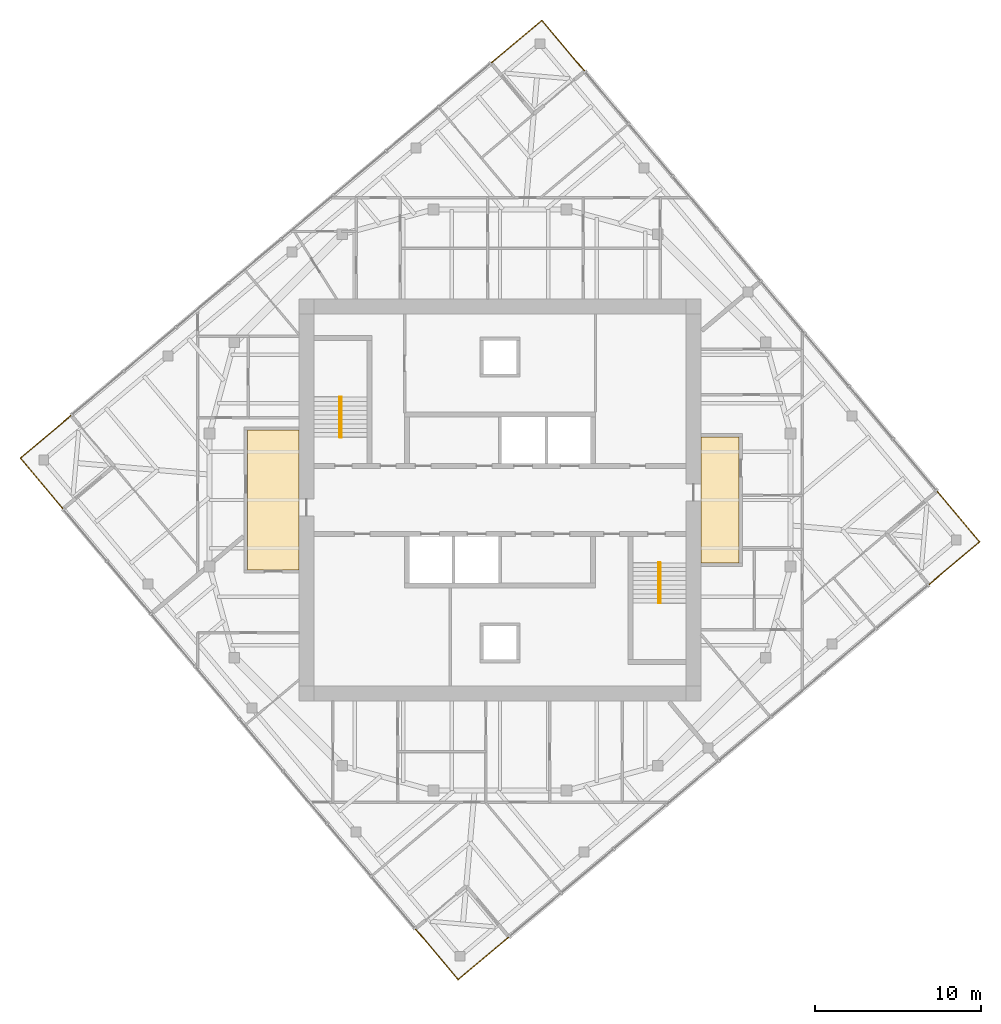
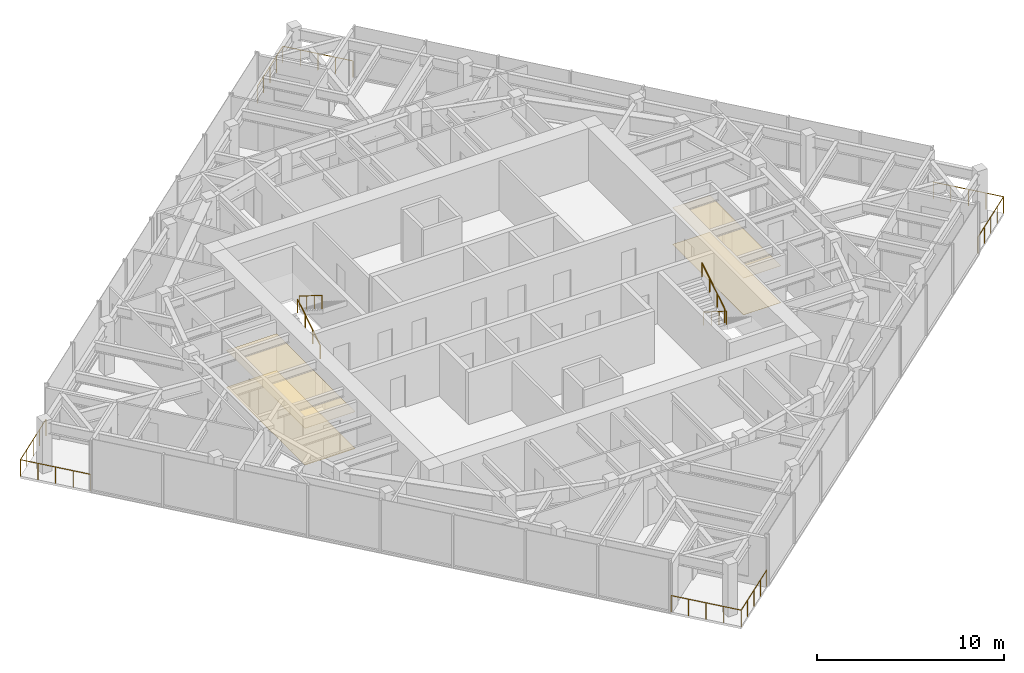
# One storey, part 12 of 12: 8 railings, 4 coverings, 2 elements without a shape of their own.
"""IFC4 building model written with IfcOpenShell, lengths in metres."""

from ifc_helpers import new_model, si_unit, direction, frame, origin, origin_2d, place, context, subcontext, project, spatial, polyline, circle, outline, extrude, material, layer, layer_set, type_object, element, aggregate, save


model = new_model("IFC4")

# Units and contexts
model_context = context("Model", 3, precision=1e-05, world=origin(), true_north=direction((0.0, 1.0)))
body_context = subcontext(model_context, "Body", "Model", "MODEL_VIEW")
ifc_project = project(units=[si_unit("LENGTHUNIT", "METRE"), si_unit("AREAUNIT", "SQUARE_METRE"), si_unit("VOLUMEUNIT", "CUBIC_METRE"), si_unit("PLANEANGLEUNIT", "RADIAN"), si_unit("MASSUNIT", "GRAM", prefix="KILO")], contexts=[model_context])

# Site, building, storey
site_placement = place(None, origin())
site = spatial("IfcSite", under=ifc_project, at=site_placement, CompositionType="ELEMENT")
building_placement = place(site_placement, origin())
building = spatial("IfcBuilding", under=site, at=building_placement, Name="Torsade Residences", CompositionType="ELEMENT")
storey_placement = place(building_placement, frame((0.0, 0.0, 296.39990234375)))
storey = spatial("IfcBuildingStorey", under=building, at=storey_placement, Name="L82", CompositionType="ELEMENT", Elevation=296.39990234375)

# Coverings
ifc_material_1 = material(Name="Nylon carpet tile on underlay", Category="textile")
ifc_layer_1 = layer(ifc_material_1, 0.010009765625)
ifc_layer_set_1 = layer_set([ifc_layer_1], Name="Nylon carpet tile on underlay")
covering_type_1 = type_object("IfcCoveringType", Name="CORRIDOR CARPET TILE 10", PredefinedType="FLOORING", material=ifc_layer_set_1)
covering_1_placement = place(storey_placement, origin())
element("IfcCovering", 1, at=covering_1_placement, inside=storey, type_object=covering_type_1, Name="Corridor carpet L82", PredefinedType="FLOORING", context=body_context, shape_type="SweptSolid", body=[
    extrude(outline(polyline([(54.39990234375, 26.199951171875), (54.39990234375, 33.800048828125), (52.10009765625, 33.800048828125), (52.10009765625, 26.199951171875), (54.39990234375, 26.199951171875)])), origin(), (0.0, 0.0, 1.0), 0.010009765625),
])
covering_2_placement = place(storey_placement, origin())
element("IfcCovering", 2, at=covering_2_placement, inside=storey, type_object=covering_type_1, Name="Corridor carpet west L82", PredefinedType="FLOORING", context=body_context, shape_type="SweptSolid", body=[
    extrude(outline(polyline([(27.89990234375, 25.800048828125), (27.89990234375, 34.199951171875), (24.800048828125, 34.199951171875), (24.800048828125, 25.800048828125), (27.89990234375, 25.800048828125)])), origin(), (0.0, 0.0, 1.0), 0.010009765625),
])
ifc_material_2 = material(Name="Plasterboard on suspended steel grid", Category="steel")
ifc_layer_2 = layer(ifc_material_2, 0.012939453125)
ifc_layer_set_2 = layer_set([ifc_layer_2], Name="Plasterboard on suspended steel grid")
covering_type_2 = type_object("IfcCoveringType", Name="CORRIDOR SUSPENDED CEILING 13", PredefinedType="CEILING", material=ifc_layer_set_2)
covering_3_placement = place(storey_placement, frame((0.0, 0.0, 2.400146484375)))
element("IfcCovering", 3, at=covering_3_placement, inside=storey, type_object=covering_type_2, Name="Corridor ceiling L82", PredefinedType="CEILING", context=body_context, shape_type="SweptSolid", body=[
    extrude(outline(polyline([(54.39990234375, 26.199951171875), (54.39990234375, 33.800048828125), (52.10009765625, 33.800048828125), (52.10009765625, 26.199951171875), (54.39990234375, 26.199951171875)])), origin(), (0.0, 0.0, 1.0), 0.012939453125),
])
covering_4_placement = place(storey_placement, frame((0.0, 0.0, 2.400146484375)))
element("IfcCovering", 4, at=covering_4_placement, inside=storey, type_object=covering_type_2, Name="Corridor ceiling west L82", PredefinedType="CEILING", context=body_context, shape_type="SweptSolid", body=[
    extrude(outline(polyline([(27.89990234375, 25.800048828125), (27.89990234375, 34.199951171875), (24.800048828125, 34.199951171875), (24.800048828125, 25.800048828125), (27.89990234375, 25.800048828125)])), origin(), (0.0, 0.0, 1.0), 0.012939453125),
])

# Stair, railings
ifc_material_3 = material(Name="Precast concrete 40 MPa", Category="concrete")
stair_type = type_object("IfcStairType", Name="HALF-TURN FIRE STAIR 1500x3400", PredefinedType="HALF_TURN_STAIR", material=ifc_material_3)
stair_1_placement = place(storey_placement, origin())
stair_1 = element("IfcStair", 5, at=stair_1_placement, inside=storey, type_object=stair_type, Name="Stair ST1 L82", PredefinedType="HALF_TURN_STAIR")
ifc_material_4 = material(Name="Steel handrail", Category="steel")
railing_type_1 = type_object("IfcRailingType", Name="STAIR HANDRAIL 900", PredefinedType="HANDRAIL", material=ifc_material_4)
railing_1_placement = place(storey_placement, frame((30.35009765625, 33.780029296875, 0.170166015625)))
railing_1 = element("IfcRailing", 6, at=railing_1_placement, type_object=railing_type_1, Name="Handrail ST1 flight 1 L82", PredefinedType="HANDRAIL", context=body_context, shape_type="SweptSolid", body=[
    extrude(circle(Radius=0.02392578125, at=origin_2d()), frame((0.0, 0.0, 0.8759765625), z_axis=(0.0, 0.846221481393, 0.532831309544), x_axis=(-1.0, 0.0, 0.0)), (0.0, 0.0, 1.0), 2.87158203125),
    extrude(circle(Radius=0.02099609375, at=origin_2d()), origin(), (0.0, 0.0, 1.0), 0.851806640625),
    extrude(circle(Radius=0.02099609375, at=origin_2d()), frame((0.0, 0.81005859375, 0.510009765625)), (0.0, 0.0, 1.0), 0.851806640625),
    extrude(circle(Radius=0.02099609375, at=origin_2d()), frame((0.0, 1.619873046875, 1.02001953125)), (0.0, 0.0, 1.0), 0.851806640625),
    extrude(circle(Radius=0.02099609375, at=origin_2d()), frame((0.0, 2.429931640625, 1.530029296875)), (0.0, 0.0, 1.0), 0.851806640625),
])
railing_2_placement = place(storey_placement, frame((30.449951171875, 36.2099609375, 1.8701171875)))
railing_2 = element("IfcRailing", 7, at=railing_2_placement, type_object=railing_type_1, Name="Handrail ST1 flight 2 L82", PredefinedType="HANDRAIL", context=body_context, shape_type="SweptSolid", body=[
    extrude(circle(Radius=0.02392578125, at=origin_2d()), frame((0.0, 0.0, 0.8759765625), z_axis=(0.0, -0.846221481393, 0.532831309544), x_axis=(1.0, 0.0, 0.0)), (0.0, 0.0, 1.0), 2.87158203125),
    extrude(circle(Radius=0.02099609375, at=origin_2d()), origin(), (0.0, 0.0, 1.0), 0.851806640625),
    extrude(circle(Radius=0.02099609375, at=origin_2d()), frame((0.0, -0.81005859375, 0.510009765625)), (0.0, 0.0, 1.0), 0.851806640625),
    extrude(circle(Radius=0.02099609375, at=origin_2d()), frame((0.0, -1.619873046875, 1.02001953125)), (0.0, 0.0, 1.0), 0.851806640625),
    extrude(circle(Radius=0.02099609375, at=origin_2d()), frame((0.0, -2.429931640625, 1.530029296875)), (0.0, 0.0, 1.0), 0.851806640625),
])
aggregate(stair_1, [railing_1, railing_2])

stair_2_placement = place(storey_placement, origin())
stair_2 = element("IfcStair", 8, at=stair_2_placement, inside=storey, type_object=stair_type, Name="Stair ST2 L82", PredefinedType="HALF_TURN_STAIR")
railing_3_placement = place(storey_placement, frame((49.64990234375, 26.219970703125, 0.170166015625)))
railing_3 = element("IfcRailing", 9, at=railing_3_placement, type_object=railing_type_1, Name="Handrail ST2 flight 1 L82", PredefinedType="HANDRAIL", context=body_context, shape_type="SweptSolid", body=[
    extrude(circle(Radius=0.02392578125, at=origin_2d()), frame((0.0, 0.0, 0.8759765625), z_axis=(0.0, -0.846221481393, 0.532831309544), x_axis=(1.0, 0.0, 0.0)), (0.0, 0.0, 1.0), 2.87158203125),
    extrude(circle(Radius=0.02099609375, at=origin_2d()), origin(), (0.0, 0.0, 1.0), 0.851806640625),
    extrude(circle(Radius=0.02099609375, at=origin_2d()), frame((0.0, -0.81005859375, 0.510009765625)), (0.0, 0.0, 1.0), 0.851806640625),
    extrude(circle(Radius=0.02099609375, at=origin_2d()), frame((0.0, -1.619873046875, 1.02001953125)), (0.0, 0.0, 1.0), 0.851806640625),
    extrude(circle(Radius=0.02099609375, at=origin_2d()), frame((0.0, -2.429931640625, 1.530029296875)), (0.0, 0.0, 1.0), 0.851806640625),
])
railing_4_placement = place(storey_placement, frame((49.550048828125, 23.7900390625, 1.8701171875)))
railing_4 = element("IfcRailing", 10, at=railing_4_placement, type_object=railing_type_1, Name="Handrail ST2 flight 2 L82", PredefinedType="HANDRAIL", context=body_context, shape_type="SweptSolid", body=[
    extrude(circle(Radius=0.02392578125, at=origin_2d()), frame((0.0, 0.0, 0.8759765625), z_axis=(0.0, 0.846221481393, 0.532831309544), x_axis=(-1.0, 0.0, 0.0)), (0.0, 0.0, 1.0), 2.87158203125),
    extrude(circle(Radius=0.02099609375, at=origin_2d()), origin(), (0.0, 0.0, 1.0), 0.851806640625),
    extrude(circle(Radius=0.02099609375, at=origin_2d()), frame((0.0, 0.81005859375, 0.510009765625)), (0.0, 0.0, 1.0), 0.851806640625),
    extrude(circle(Radius=0.02099609375, at=origin_2d()), frame((0.0, 1.619873046875, 1.02001953125)), (0.0, 0.0, 1.0), 0.851806640625),
    extrude(circle(Radius=0.02099609375, at=origin_2d()), frame((0.0, 2.429931640625, 1.530029296875)), (0.0, 0.0, 1.0), 0.851806640625),
])
aggregate(stair_2, [railing_3, railing_4])

# Railings
ifc_material_5 = material(Name="Laminated glass balustrade", Category="glass")
railing_type_2 = type_object("IfcRailingType", Name="TERRACE GLASS BALUSTRADE 1100", PredefinedType="BALUSTRADE", material=ifc_material_5)
railing_5_placement = place(storey_placement, frame((65.81689453125, 24.902099609375, 0.0)))
element("IfcRailing", 11, at=railing_5_placement, inside=storey, type_object=railing_type_2, Name="Terrace balustrade SE L82", PredefinedType="BALUSTRADE", context=body_context, shape_type="SweptSolid", body=[
    extrude(circle(Radius=0.02392578125, at=origin_2d()), frame((0.0, 0.0, 1.076171875), z_axis=(0.766060656284, 0.642768287094, 0.0), x_axis=(-0.642768287094, 0.766060656284, 0.0)), (0.0, 0.0, 1.0), 4.0),
    extrude(circle(Radius=0.02392578125, at=origin_2d()), frame((3.064208984375, 2.571044921875, 1.076171875), z_axis=(-0.642804103796, 0.766030602615, 0.0), x_axis=(-0.766030602615, -0.642804103796, 0.0)), (0.0, 0.0, 1.0), 4.0),
    extrude(circle(Radius=0.02099609375, at=origin_2d()), origin(), (0.0, 0.0, 1.0), 1.052001953125),
    extrude(circle(Radius=0.02099609375, at=origin_2d()), frame((0.76611328125, 0.642822265625, 0.0)), (0.0, 0.0, 1.0), 1.052001953125),
    extrude(circle(Radius=0.02099609375, at=origin_2d()), frame((1.5322265625, 1.28564453125, 0.0)), (0.0, 0.0, 1.0), 1.052001953125),
    extrude(circle(Radius=0.02099609375, at=origin_2d()), frame((2.298095703125, 1.92822265625, 0.0)), (0.0, 0.0, 1.0), 1.052001953125),
    extrude(circle(Radius=0.02099609375, at=origin_2d()), frame((3.064208984375, 2.571044921875, 0.0)), (0.0, 0.0, 1.0), 1.052001953125),
    extrude(circle(Radius=0.02099609375, at=origin_2d()), frame((2.42138671875, 3.337158203125, 0.0)), (0.0, 0.0, 1.0), 1.052001953125),
    extrude(circle(Radius=0.02099609375, at=origin_2d()), frame((1.778564453125, 4.10302734375, 0.0)), (0.0, 0.0, 1.0), 1.052001953125),
    extrude(circle(Radius=0.02099609375, at=origin_2d()), frame((1.1357421875, 4.869140625, 0.0)), (0.0, 0.0, 1.0), 1.052001953125),
    extrude(circle(Radius=0.02099609375, at=origin_2d()), frame((0.492919921875, 5.63525390625, 0.0)), (0.0, 0.0, 1.0), 1.052001953125),
])
railing_6_placement = place(storey_placement, frame((45.097900390625, 55.81689453125, 0.0)))
element("IfcRailing", 12, at=railing_6_placement, inside=storey, type_object=railing_type_2, Name="Terrace balustrade NE L82", PredefinedType="BALUSTRADE", context=body_context, shape_type="SweptSolid", body=[
    extrude(circle(Radius=0.02392578125, at=origin_2d()), frame((0.0, 0.0, 1.076171875), z_axis=(-0.642768287094, 0.766060656284, 0.0), x_axis=(-0.766060656284, -0.642768287094, 0.0)), (0.0, 0.0, 1.0), 4.0),
    extrude(circle(Radius=0.02392578125, at=origin_2d()), frame((-2.571044921875, 3.064208984375, 1.076171875), z_axis=(-0.766030602615, -0.642804103796, 0.0), x_axis=(0.642804103796, -0.766030602615, 0.0)), (0.0, 0.0, 1.0), 4.0),
    extrude(circle(Radius=0.02099609375, at=origin_2d()), origin(), (0.0, 0.0, 1.0), 1.052001953125),
    extrude(circle(Radius=0.02099609375, at=origin_2d()), frame((-0.642822265625, 0.76611328125, 0.0)), (0.0, 0.0, 1.0), 1.052001953125),
    extrude(circle(Radius=0.02099609375, at=origin_2d()), frame((-1.28564453125, 1.5322265625, 0.0)), (0.0, 0.0, 1.0), 1.052001953125),
    extrude(circle(Radius=0.02099609375, at=origin_2d()), frame((-1.92822265625, 2.298095703125, 0.0)), (0.0, 0.0, 1.0), 1.052001953125),
    extrude(circle(Radius=0.02099609375, at=origin_2d()), frame((-2.571044921875, 3.064208984375, 0.0)), (0.0, 0.0, 1.0), 1.052001953125),
    extrude(circle(Radius=0.02099609375, at=origin_2d()), frame((-3.337158203125, 2.42138671875, 0.0)), (0.0, 0.0, 1.0), 1.052001953125),
    extrude(circle(Radius=0.02099609375, at=origin_2d()), frame((-4.10302734375, 1.778564453125, 0.0)), (0.0, 0.0, 1.0), 1.052001953125),
    extrude(circle(Radius=0.02099609375, at=origin_2d()), frame((-4.869140625, 1.1357421875, 0.0)), (0.0, 0.0, 1.0), 1.052001953125),
    extrude(circle(Radius=0.02099609375, at=origin_2d()), frame((-5.63525390625, 0.492919921875, 0.0)), (0.0, 0.0, 1.0), 1.052001953125),
])
railing_7_placement = place(storey_placement, frame((14.18310546875, 35.097900390625, 0.0)))
element("IfcRailing", 13, at=railing_7_placement, inside=storey, type_object=railing_type_2, Name="Terrace balustrade NW L82", PredefinedType="BALUSTRADE", context=body_context, shape_type="SweptSolid", body=[
    extrude(circle(Radius=0.02392578125, at=origin_2d()), frame((0.0, 0.0, 1.076171875), z_axis=(-0.766060656284, -0.642768287094, 0.0), x_axis=(0.642768287094, -0.766060656284, 0.0)), (0.0, 0.0, 1.0), 4.0),
    extrude(circle(Radius=0.02392578125, at=origin_2d()), frame((-3.064208984375, -2.571044921875, 1.076171875), z_axis=(0.642804103796, -0.766030602615, 0.0), x_axis=(0.766030602615, 0.642804103796, 0.0)), (0.0, 0.0, 1.0), 4.0),
    extrude(circle(Radius=0.02099609375, at=origin_2d()), origin(), (0.0, 0.0, 1.0), 1.052001953125),
    extrude(circle(Radius=0.02099609375, at=origin_2d()), frame((-0.76611328125, -0.642822265625, 0.0)), (0.0, 0.0, 1.0), 1.052001953125),
    extrude(circle(Radius=0.02099609375, at=origin_2d()), frame((-1.5322265625, -1.28564453125, 0.0)), (0.0, 0.0, 1.0), 1.052001953125),
    extrude(circle(Radius=0.02099609375, at=origin_2d()), frame((-2.298095703125, -1.92822265625, 0.0)), (0.0, 0.0, 1.0), 1.052001953125),
    extrude(circle(Radius=0.02099609375, at=origin_2d()), frame((-3.064208984375, -2.571044921875, 0.0)), (0.0, 0.0, 1.0), 1.052001953125),
    extrude(circle(Radius=0.02099609375, at=origin_2d()), frame((-2.42138671875, -3.337158203125, 0.0)), (0.0, 0.0, 1.0), 1.052001953125),
    extrude(circle(Radius=0.02099609375, at=origin_2d()), frame((-1.778564453125, -4.10302734375, 0.0)), (0.0, 0.0, 1.0), 1.052001953125),
    extrude(circle(Radius=0.02099609375, at=origin_2d()), frame((-1.1357421875, -4.869140625, 0.0)), (0.0, 0.0, 1.0), 1.052001953125),
    extrude(circle(Radius=0.02099609375, at=origin_2d()), frame((-0.492919921875, -5.63525390625, 0.0)), (0.0, 0.0, 1.0), 1.052001953125),
])
railing_8_placement = place(storey_placement, frame((34.902099609375, 4.18310546875, 0.0)))
element("IfcRailing", 14, at=railing_8_placement, inside=storey, type_object=railing_type_2, Name="Terrace balustrade SW L82", PredefinedType="BALUSTRADE", context=body_context, shape_type="SweptSolid", body=[
    extrude(circle(Radius=0.02392578125, at=origin_2d()), frame((0.0, 0.0, 1.076171875), z_axis=(0.642768287094, -0.766060656284, 0.0), x_axis=(0.766060656284, 0.642768287094, 0.0)), (0.0, 0.0, 1.0), 4.0),
    extrude(circle(Radius=0.02392578125, at=origin_2d()), frame((2.571044921875, -3.064208984375, 1.076171875), z_axis=(0.766030602615, 0.642804103796, 0.0), x_axis=(-0.642804103796, 0.766030602615, 0.0)), (0.0, 0.0, 1.0), 4.0),
    extrude(circle(Radius=0.02099609375, at=origin_2d()), origin(), (0.0, 0.0, 1.0), 1.052001953125),
    extrude(circle(Radius=0.02099609375, at=origin_2d()), frame((0.642822265625, -0.76611328125, 0.0)), (0.0, 0.0, 1.0), 1.052001953125),
    extrude(circle(Radius=0.02099609375, at=origin_2d()), frame((1.28564453125, -1.5322265625, 0.0)), (0.0, 0.0, 1.0), 1.052001953125),
    extrude(circle(Radius=0.02099609375, at=origin_2d()), frame((1.92822265625, -2.298095703125, 0.0)), (0.0, 0.0, 1.0), 1.052001953125),
    extrude(circle(Radius=0.02099609375, at=origin_2d()), frame((2.571044921875, -3.064208984375, 0.0)), (0.0, 0.0, 1.0), 1.052001953125),
    extrude(circle(Radius=0.02099609375, at=origin_2d()), frame((3.337158203125, -2.42138671875, 0.0)), (0.0, 0.0, 1.0), 1.052001953125),
    extrude(circle(Radius=0.02099609375, at=origin_2d()), frame((4.10302734375, -1.778564453125, 0.0)), (0.0, 0.0, 1.0), 1.052001953125),
    extrude(circle(Radius=0.02099609375, at=origin_2d()), frame((4.869140625, -1.1357421875, 0.0)), (0.0, 0.0, 1.0), 1.052001953125),
    extrude(circle(Radius=0.02099609375, at=origin_2d()), frame((5.63525390625, -0.492919921875, 0.0)), (0.0, 0.0, 1.0), 1.052001953125),
])

save(model, "model.ifc")
